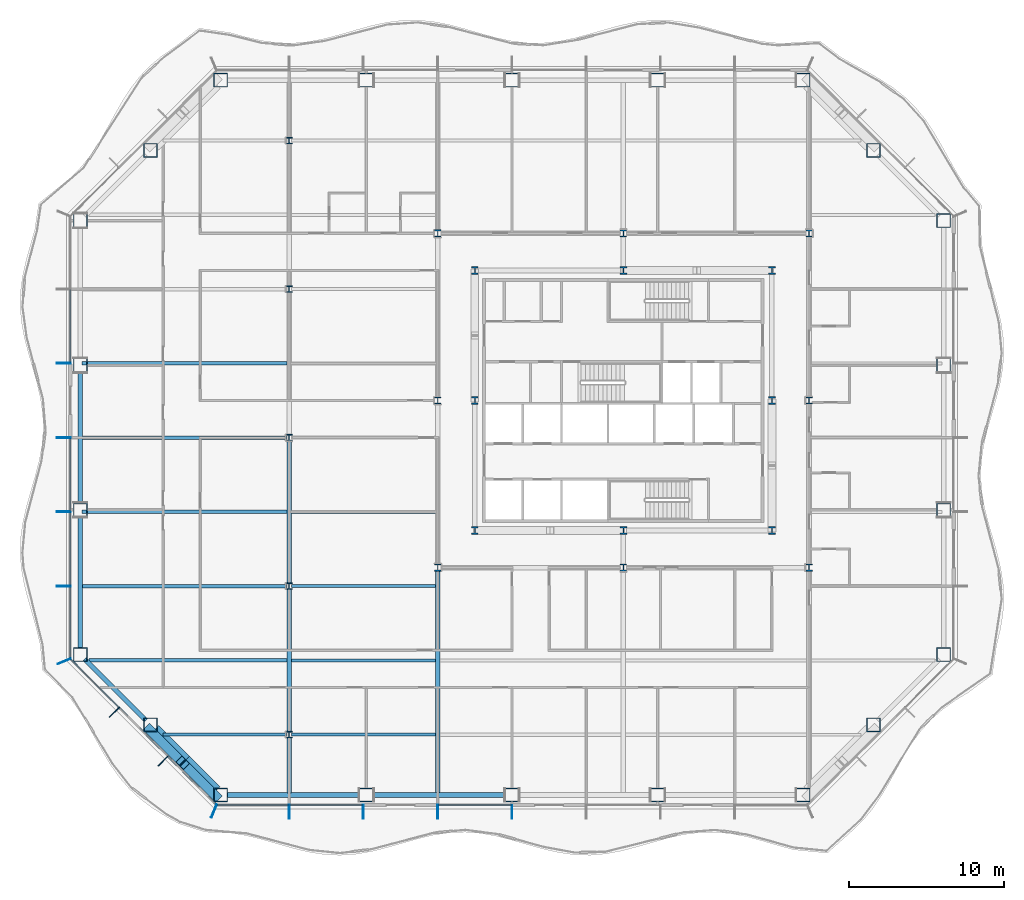
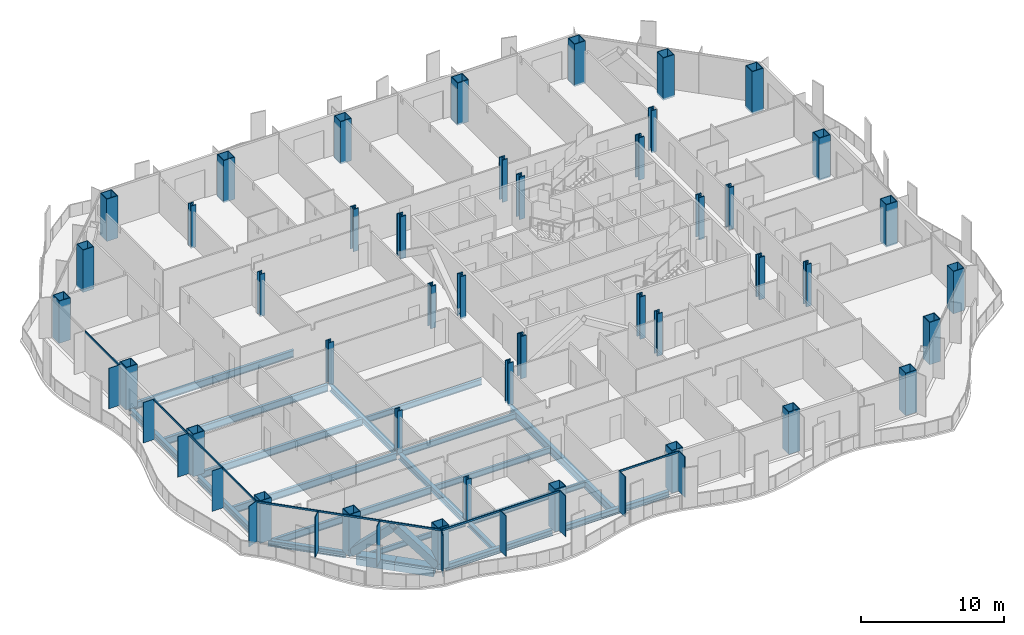
# One storey, part 1 of 18: 43 columns, 24 members, 21 beams, 3 elements without a shape of their own.
"""IFC4 building model written with IfcOpenShell, lengths in metres."""

from ifc_helpers import new_model, si_unit, direction, frame, origin, origin_2d, place, context, subcontext, project, spatial, rectangle, hollow_rectangle, i_section, extrude, material, material_profile, profile_set, type_object, element, aggregate, save


model = new_model("IFC4")

# Units and contexts
model_context = context("Model", 3, precision=1e-05, world=origin(), true_north=direction((0.0, 1.0)))
body_context = subcontext(model_context, "Body", "Model", "MODEL_VIEW")
ifc_project = project(units=[si_unit("LENGTHUNIT", "METRE"), si_unit("AREAUNIT", "SQUARE_METRE"), si_unit("VOLUMEUNIT", "CUBIC_METRE"), si_unit("PLANEANGLEUNIT", "RADIAN"), si_unit("MASSUNIT", "GRAM", prefix="KILO")], contexts=[model_context])

# Site, building, storey
site_placement = place(None, origin())
site = spatial("IfcSite", under=ifc_project, at=site_placement, CompositionType="ELEMENT")
building_placement = place(site_placement, origin())
building = spatial("IfcBuilding", under=site, at=building_placement, Name="Cairn Pilgrim Tower", CompositionType="ELEMENT")
storey_placement = place(building_placement, frame((0.0, 0.0, 65.39990234375)))
storey = spatial("IfcBuildingStorey", under=building, at=storey_placement, Name="L14", CompositionType="ELEMENT", Elevation=65.39990234375)

# Columns
ifc_material_1 = material(Name="Structural steel S460M", Category="steel")
ifc_material_profile_1 = material_profile(ifc_material_1, hollow_rectangle(XDim=0.89990234375, YDim=0.89990234375, WallThickness=0.050048828125, at=origin_2d()), Name="BOX 900x900x50")
ifc_profile_set_1 = profile_set([ifc_material_profile_1], Name="Structural steel S460M")
column_type_1 = type_object("IfcColumnType", Name="BOX 900x900x50", PredefinedType="COLUMN", material=ifc_profile_set_1)
for number, where, z_axis, x_axis, name in (
    (1, (-18.8271484375, -23.10009765625, -0.14990234375), (0.0, 0.0, 1.0), (1.0, 0.0, 0.0), "PC1-S1"),
    (2, (-9.41357421875, -23.10009765625, -0.14990234375), (0.0, 0.0, 1.0), (1.0, 0.0, 0.0), "PC1-S2"),
    (3, (0.0, -23.10009765625, -0.14990234375), (0.0, 0.0, 1.0), (1.0, 0.0, 0.0), "PC1-S3"),
    (4, (9.41357421875, -23.10009765625, -0.14990234375), (0.0, 0.0, 1.0), (1.0, 0.0, 0.0), "PC1-S4"),
    (5, (18.8271484375, -23.10009765625, -0.14990234375), (0.0, 0.0, 1.0), (1.0, 0.0, 0.0), "PC1-SE1"),
    (6, (23.363525390625, -18.563720703125, -0.14990234375), (0.0, 0.0, 1.0), (1.0, 0.0, 0.0), "PC1-SE2"),
    (7, (27.89990234375, -14.027099609375, -0.14990234375), (0.0, 0.0, 1.0), (1.0, 0.0, 0.0), "PC1-E1"),
    (8, (27.89990234375, -4.67578125, -0.14990234375), (0.0, 0.0, 1.0), (1.0, 0.0, 0.0), "PC1-E2"),
    (9, (27.89990234375, 4.67578125, -0.14990234375), (0.0, 0.0, 1.0), (1.0, 0.0, 0.0), "PC1-E3"),
    (10, (27.89990234375, 14.027099609375, -0.14990234375), (0.0, 0.0, 1.0), (1.0, 0.0, 0.0), "PC1-NE1"),
    (11, (23.363525390625, 18.563720703125, -0.14990234375), (0.0, 0.0, 1.0), (1.0, 0.0, 0.0), "PC1-NE2"),
    (12, (18.8271484375, 23.10009765625, -0.14990234375), (0.0, 0.0, 1.0), (1.0, 0.0, 0.0), "PC1-N1"),
    (13, (9.41357421875, 23.10009765625, -0.14990234375), (0.0, 0.0, 1.0), (1.0, 0.0, 0.0), "PC1-N2"),
    (14, (0.0, 23.10009765625, -0.14990234375), (0.0, 0.0, 1.0), (1.0, 0.0, 0.0), "PC1-N3"),
    (15, (-9.41357421875, 23.10009765625, -0.14990234375), (0.0, 0.0, 1.0), (1.0, 0.0, 0.0), "PC1-N4"),
    (16, (-18.8271484375, 23.10009765625, -0.14990234375), (0.0, 0.0, 1.0), (1.0, 0.0, 0.0), "PC1-NW1"),
    (17, (-23.363525390625, 18.563720703125, -0.14990234375), (0.0, 0.0, 1.0), (1.0, 0.0, 0.0), "PC1-NW2"),
    (18, (-27.89990234375, 14.027099609375, -0.14990234375), (0.0, 0.0, 1.0), (1.0, 0.0, 0.0), "PC1-W1"),
    (19, (-27.89990234375, 4.67578125, -0.14990234375), (0.0, 0.0, 1.0), (1.0, 0.0, 0.0), "PC1-W2"),
    (20, (-27.89990234375, -4.67578125, -0.14990234375), (0.0, 0.0, 1.0), (1.0, 0.0, 0.0), "PC1-W3"),
    (21, (-27.89990234375, -14.027099609375, -0.14990234375), (0.0, 0.0, 1.0), (1.0, 0.0, 0.0), "PC1-SW1"),
    (22, (-23.363525390625, -18.563720703125, -0.14990234375), (0.0, 0.0, 1.0), (1.0, 0.0, 0.0), "PC1-SW2"),
):
    element("IfcColumn", number, at=place(storey_placement, frame(where, z_axis=z_axis, x_axis=x_axis)), inside=storey, type_object=column_type_1, Name=name, PredefinedType="COLUMN", context=body_context, shape_type="SweptSolid", body=[
        extrude(hollow_rectangle(XDim=0.89990234375, YDim=0.89990234375, WallThickness=0.050048828125, at=origin_2d()), origin(), (0.0, 0.0, 1.0), 3.60009765625),
    ])
ifc_material_profile_2 = material_profile(ifc_material_1, i_section(OverallWidth=0.408935546875, OverallDepth=0.425048828125, WebThickness=0.03271484375, FlangeThickness=0.052490234375, FilletRadius=0.014892578125, at=origin_2d()), Name="HD 400x421")
ifc_profile_set_2 = profile_set([ifc_material_profile_2], Name="Structural steel S460M")
column_type_2 = type_object("IfcColumnType", Name="HD 400x421", PredefinedType="COLUMN", material=ifc_profile_set_2)
for number, where, z_axis, x_axis, name in (
    (23, (-14.39990234375, -19.199951171875, -0.14990234375), (0.0, 0.0, 1.0), (1.0, 0.0, 0.0), "WC-WW-4"),
    (24, (-14.39990234375, -9.60009765625, -0.14990234375), (0.0, 0.0, 1.0), (1.0, 0.0, 0.0), "WC-WW-2"),
    (25, (-14.39990234375, 0.0, -0.14990234375), (0.0, 0.0, 1.0), (1.0, 0.0, 0.0), "WC-WW+0"),
    (26, (-14.39990234375, 9.60009765625, -0.14990234375), (0.0, 0.0, 1.0), (1.0, 0.0, 0.0), "WC-WW+2"),
    (27, (-14.39990234375, 19.199951171875, -0.14990234375), (0.0, 0.0, 1.0), (1.0, 0.0, 0.0), "WC-WW+4"),
):
    element("IfcColumn", number, at=place(storey_placement, frame(where, z_axis=z_axis, x_axis=x_axis)), inside=storey, type_object=column_type_2, Name=name, PredefinedType="COLUMN", context=body_context, shape_type="SweptSolid", body=[
        extrude(i_section(OverallWidth=0.408935546875, OverallDepth=0.425048828125, WebThickness=0.03271484375, FlangeThickness=0.052490234375, FilletRadius=0.014892578125, at=origin_2d()), origin(), (0.0, 0.0, 1.0), 3.60009765625),
    ])
ifc_material_profile_3 = material_profile(ifc_material_1, i_section(OverallWidth=0.424072265625, OverallDepth=0.47412109375, WebThickness=0.047607421875, FlangeThickness=0.0771484375, FilletRadius=0.014892578125, at=origin_2d()), Name="HD 400x634")
ifc_profile_set_3 = profile_set([ifc_material_profile_3], Name="Structural steel S460M")
column_type_3 = type_object("IfcColumnType", Name="HD 400x634", PredefinedType="COLUMN", material=ifc_profile_set_3)
for number, where, z_axis, x_axis, name in (
    (28, (-4.800048828125, -8.39990234375, -0.14990234375), (0.0, 0.0, 1.0), (1.0, 0.0, 0.0), "IC-1"),
    (29, (7.199951171875, -8.39990234375, -0.14990234375), (0.0, 0.0, 1.0), (1.0, 0.0, 0.0), "IC-2"),
    (30, (19.199951171875, -8.39990234375, -0.14990234375), (0.0, 0.0, 1.0), (1.0, 0.0, 0.0), "IC-3"),
    (31, (-4.800048828125, 2.39990234375, -0.14990234375), (0.0, 0.0, 1.0), (1.0, 0.0, 0.0), "IC-4"),
    (32, (19.199951171875, 2.39990234375, -0.14990234375), (0.0, 0.0, 1.0), (1.0, 0.0, 0.0), "IC-5"),
    (33, (-4.800048828125, 13.199951171875, -0.14990234375), (0.0, 0.0, 1.0), (1.0, 0.0, 0.0), "IC-6"),
    (34, (7.199951171875, 13.199951171875, -0.14990234375), (0.0, 0.0, 1.0), (1.0, 0.0, 0.0), "IC-7"),
    (35, (19.199951171875, 13.199951171875, -0.14990234375), (0.0, 0.0, 1.0), (1.0, 0.0, 0.0), "IC-8"),
):
    element("IfcColumn", number, at=place(storey_placement, frame(where, z_axis=z_axis, x_axis=x_axis)), inside=storey, type_object=column_type_3, Name=name, PredefinedType="COLUMN", context=body_context, shape_type="SweptSolid", body=[
        extrude(i_section(OverallWidth=0.424072265625, OverallDepth=0.47412109375, WebThickness=0.047607421875, FlangeThickness=0.0771484375, FilletRadius=0.014892578125, at=origin_2d()), origin(), (0.0, 0.0, 1.0), 3.60009765625),
    ])
ifc_material_profile_4 = material_profile(ifc_material_1, i_section(OverallWidth=0.43701171875, OverallDepth=0.513916015625, WebThickness=0.060546875, FlangeThickness=0.096923828125, FilletRadius=0.014892578125, at=origin_2d()), Name="HD 400x818")
ifc_profile_set_4 = profile_set([ifc_material_profile_4], Name="Structural steel S460M")
column_type_4 = type_object("IfcColumnType", Name="HD 400x818", PredefinedType="COLUMN", material=ifc_profile_set_4)
for number, where, z_axis, x_axis, name in (
    (36, (-2.39990234375, -6.0, -0.14990234375), (0.0, 0.0, 1.0), (1.0, 0.0, 0.0), "KC-1"),
    (37, (7.199951171875, -6.0, -0.14990234375), (0.0, 0.0, 1.0), (1.0, 0.0, 0.0), "KC-2"),
    (38, (16.800048828125, -6.0, -0.14990234375), (0.0, 0.0, 1.0), (1.0, 0.0, 0.0), "KC-3"),
    (39, (-2.39990234375, 2.39990234375, -0.14990234375), (0.0, 0.0, 1.0), (1.0, 0.0, 0.0), "KC-4"),
    (40, (16.800048828125, 2.39990234375, -0.14990234375), (0.0, 0.0, 1.0), (1.0, 0.0, 0.0), "KC-5"),
    (41, (-2.39990234375, 10.800048828125, -0.14990234375), (0.0, 0.0, 1.0), (1.0, 0.0, 0.0), "KC-6"),
    (42, (7.199951171875, 10.800048828125, -0.14990234375), (0.0, 0.0, 1.0), (1.0, 0.0, 0.0), "KC-7"),
    (43, (16.800048828125, 10.800048828125, -0.14990234375), (0.0, 0.0, 1.0), (1.0, 0.0, 0.0), "KC-8"),
):
    element("IfcColumn", number, at=place(storey_placement, frame(where, z_axis=z_axis, x_axis=x_axis)), inside=storey, type_object=column_type_4, Name=name, PredefinedType="COLUMN", context=body_context, shape_type="SweptSolid", body=[
        extrude(i_section(OverallWidth=0.43701171875, OverallDepth=0.513916015625, WebThickness=0.060546875, FlangeThickness=0.096923828125, FilletRadius=0.014892578125, at=origin_2d()), origin(), (0.0, 0.0, 1.0), 3.60009765625),
    ])

# Members
ifc_material_profile_5 = material_profile(ifc_material_1, hollow_rectangle(XDim=0.60009765625, YDim=0.60009765625, WallThickness=0.034912109375, at=origin_2d()), Name="BOX 600x600x35")
ifc_profile_set_5 = profile_set([ifc_material_profile_5], Name="Structural steel S460M")
member_type_1 = type_object("IfcMemberType", Name="BOX 600x600x35 BRACE", PredefinedType="BRACE", material=ifc_profile_set_5)
for number, where, z_axis, x_axis, name in (
    (44, (-23.4873046875, -18.814697265625, 0.150146484375), (0.528960912345, -0.52889942671, 0.663675937214), (0.70706568108, 0.707147878904, 0.0), "XB-SW2-S1-1"),
    (45, (-19.078125, -23.2236328125, 0.150146484375), (-0.528943710525, 0.528943710525, 0.663654354459), (-0.707106781187, -0.707106781187, 0.0), "XB-SW2-S1-2"),
):
    element("IfcMember", number, at=place(storey_placement, frame(where, z_axis=z_axis, x_axis=x_axis)), inside=storey, type_object=member_type_1, Name=name, PredefinedType="BRACE", context=body_context, shape_type="SweptSolid", body=[
        extrude(hollow_rectangle(XDim=0.60009765625, YDim=0.60009765625, WallThickness=0.034912109375, at=origin_2d()), origin(), (0.0, 0.0, 1.0), 3.970703125),
    ])

# Beams
ifc_material_2 = material(Name="Structural steel S355J2", Category="steel")
ifc_material_profile_6 = material_profile(ifc_material_2, hollow_rectangle(XDim=0.699951171875, YDim=0.800048828125, WallThickness=0.0400390625, at=origin_2d()), Name="BOX 700x800x40")
ifc_profile_set_6 = profile_set([ifc_material_profile_6], Name="Structural steel S355J2")
beam_type_1 = type_object("IfcBeamType", Name="BOX 700x800x40 RING GIRDER", PredefinedType="SPANDREL", material=ifc_profile_set_6)
beam_1_placement = place(storey_placement, frame((-23.0771484375, -18.85009765625, -0.5498046875), z_axis=(0.707106781187, -0.707106781187, 0.0), x_axis=(0.707106781187, 0.707106781187, 0.0)))
element("IfcBeam", 46, at=beam_1_placement, inside=storey, type_object=beam_type_1, Name="RG1-SW2-S1-1", PredefinedType="SPANDREL", context=body_context, shape_type="SweptSolid", body=[
    extrude(hollow_rectangle(XDim=0.699951171875, YDim=0.800048828125, WallThickness=0.0400390625, at=origin_2d()), origin(), (0.0, 0.0, 1.0), 2.802490234375),
])
beam_2_placement = place(storey_placement, frame((-21.095458984375, -20.831787109375, -0.5498046875), z_axis=(0.707106781187, -0.707106781187, 0.0), x_axis=(0.707106781187, 0.707106781187, 0.0)))
element("IfcBeam", 47, at=beam_2_placement, inside=storey, type_object=beam_type_1, Name="RG1-SW2-S1-2", PredefinedType="SPANDREL", context=body_context, shape_type="SweptSolid", body=[
    extrude(hollow_rectangle(XDim=0.699951171875, YDim=0.800048828125, WallThickness=0.0400390625, at=origin_2d()), origin(), (0.0, 0.0, 1.0), 2.802978515625),
])

# Curtain wall, members
ifc_material_3 = material(Name="Aluminium alloy 6063-T6 bronze anodised with Bronze tinted laminated low-E glass 8+16+8.8", Category="aluminium")
curtain_wall_type_1 = type_object("IfcCurtainWallType", Name="TOWER STICK CURTAIN WALL NS", PredefinedType="NOTDEFINED", material=ifc_material_3)
curtain_wall_1_placement = place(storey_placement, origin())
curtain_wall_1 = element("IfcCurtainWall", 48, at=curtain_wall_1_placement, inside=storey, type_object=curtain_wall_type_1, Name="Tower Stick Curtain Wall Ns S", PredefinedType="NOTDEFINED")
ifc_material_4 = material(Name="Aluminium alloy 6063-T6 bronze anodised", Category="aluminium")
ifc_material_profile_7 = material_profile(ifc_material_4, rectangle(XDim=0.89990234375, YDim=0.06005859375, at=origin_2d()), Name="FIN MULLION 60x900 BRONZE")
ifc_profile_set_7 = profile_set([ifc_material_profile_7], Name="Aluminium alloy 6063-T6 bronze anodised")
member_type_2 = type_object("IfcMemberType", Name="FIN MULLION 60x900 BRONZE", PredefinedType="MULLION", material=ifc_profile_set_7)
member_1_placement = place(storey_placement, frame((-19.257080078125, -24.137939453125, 0.0), z_axis=(0.0, 0.0, 1.0), x_axis=(-0.382683432365, -0.923879532511, 0.0)))
member_1 = element("IfcMember", 49, at=member_1_placement, type_object=member_type_2, Name="Fin mullion S1", PredefinedType="MULLION", context=body_context, shape_type="SweptSolid", body=[
    extrude(rectangle(XDim=0.89990234375, YDim=0.06005859375, at=origin_2d()), origin(), (0.0, 0.0, 1.0), 3.4501953125),
])
member_2_placement = place(storey_placement, frame((-14.39990234375, -24.169921875, 0.0), z_axis=(0.0, 0.0, 1.0), x_axis=(0.0, -1.0, 0.0)))
member_2 = element("IfcMember", 50, at=member_2_placement, type_object=member_type_2, Name="Fin mullion S2", PredefinedType="MULLION", context=body_context, shape_type="SweptSolid", body=[
    extrude(rectangle(XDim=0.89990234375, YDim=0.06005859375, at=origin_2d()), origin(), (0.0, 0.0, 1.0), 3.4501953125),
])
member_3_placement = place(storey_placement, frame((-9.60009765625, -24.169921875, 0.0), z_axis=(0.0, 0.0, 1.0), x_axis=(0.0, -1.0, 0.0)))
member_3 = element("IfcMember", 51, at=member_3_placement, type_object=member_type_2, Name="Fin mullion S3", PredefinedType="MULLION", context=body_context, shape_type="SweptSolid", body=[
    extrude(rectangle(XDim=0.89990234375, YDim=0.06005859375, at=origin_2d()), origin(), (0.0, 0.0, 1.0), 3.4501953125),
])
member_4_placement = place(storey_placement, frame((-4.800048828125, -24.169921875, 0.0), z_axis=(0.0, 0.0, 1.0), x_axis=(0.0, -1.0, 0.0)))
member_4 = element("IfcMember", 52, at=member_4_placement, type_object=member_type_2, Name="Fin mullion S4", PredefinedType="MULLION", context=body_context, shape_type="SweptSolid", body=[
    extrude(rectangle(XDim=0.89990234375, YDim=0.06005859375, at=origin_2d()), origin(), (0.0, 0.0, 1.0), 3.4501953125),
])
member_5_placement = place(storey_placement, frame((0.0, -24.169921875, 0.0), z_axis=(0.0, 0.0, 1.0), x_axis=(0.0, -1.0, 0.0)))
member_5 = element("IfcMember", 53, at=member_5_placement, type_object=member_type_2, Name="Fin mullion S5", PredefinedType="MULLION", context=body_context, shape_type="SweptSolid", body=[
    extrude(rectangle(XDim=0.89990234375, YDim=0.06005859375, at=origin_2d()), origin(), (0.0, 0.0, 1.0), 3.4501953125),
])

curtain_wall_type_2 = type_object("IfcCurtainWallType", Name="TOWER STICK CURTAIN WALL EW", PredefinedType="NOTDEFINED", material=ifc_material_3)
curtain_wall_2_placement = place(storey_placement, origin())
curtain_wall_2 = element("IfcCurtainWall", 54, at=curtain_wall_2_placement, inside=storey, type_object=curtain_wall_type_2, Name="Tower Stick Curtain Wall Ew W", PredefinedType="NOTDEFINED")
member_6_placement = place(storey_placement, frame((-28.969970703125, 4.800048828125, 0.0), z_axis=(0.0, 0.0, 1.0), x_axis=(-1.0, 0.0, 0.0)))
member_6 = element("IfcMember", 55, at=member_6_placement, type_object=member_type_2, Name="Fin mullion W3", PredefinedType="MULLION", context=body_context, shape_type="SweptSolid", body=[
    extrude(rectangle(XDim=0.89990234375, YDim=0.06005859375, at=origin_2d()), origin(), (0.0, 0.0, 1.0), 3.4501953125),
])
member_7_placement = place(storey_placement, frame((-28.969970703125, 0.0, 0.0), z_axis=(0.0, 0.0, 1.0), x_axis=(-1.0, 0.0, 0.0)))
member_7 = element("IfcMember", 56, at=member_7_placement, type_object=member_type_2, Name="Fin mullion W4", PredefinedType="MULLION", context=body_context, shape_type="SweptSolid", body=[
    extrude(rectangle(XDim=0.89990234375, YDim=0.06005859375, at=origin_2d()), origin(), (0.0, 0.0, 1.0), 3.4501953125),
])
member_8_placement = place(storey_placement, frame((-28.969970703125, -4.800048828125, 0.0), z_axis=(0.0, 0.0, 1.0), x_axis=(-1.0, 0.0, 0.0)))
member_8 = element("IfcMember", 57, at=member_8_placement, type_object=member_type_2, Name="Fin mullion W5", PredefinedType="MULLION", context=body_context, shape_type="SweptSolid", body=[
    extrude(rectangle(XDim=0.89990234375, YDim=0.06005859375, at=origin_2d()), origin(), (0.0, 0.0, 1.0), 3.4501953125),
])
member_9_placement = place(storey_placement, frame((-28.969970703125, -9.60009765625, 0.0), z_axis=(0.0, 0.0, 1.0), x_axis=(-1.0, 0.0, 0.0)))
member_9 = element("IfcMember", 58, at=member_9_placement, type_object=member_type_2, Name="Fin mullion W6", PredefinedType="MULLION", context=body_context, shape_type="SweptSolid", body=[
    extrude(rectangle(XDim=0.89990234375, YDim=0.06005859375, at=origin_2d()), origin(), (0.0, 0.0, 1.0), 3.4501953125),
])

curtain_wall_type_3 = type_object("IfcCurtainWallType", Name="CHAMFER CORNER CURTAIN WALL", PredefinedType="NOTDEFINED", material=ifc_material_3)
curtain_wall_3_placement = place(storey_placement, origin())
curtain_wall_3 = element("IfcCurtainWall", 59, at=curtain_wall_3_placement, inside=storey, type_object=curtain_wall_type_3, Name="Chamfer Corner Curtain Wall SW", PredefinedType="NOTDEFINED")
member_10_placement = place(storey_placement, frame((-28.93798828125, -14.457275390625, 0.0), z_axis=(0.0, 0.0, 1.0), x_axis=(-0.923879532511, -0.382683432365, 0.0)))
member_10 = element("IfcMember", 60, at=member_10_placement, type_object=member_type_2, Name="Fin mullion SW1", PredefinedType="MULLION", context=body_context, shape_type="SweptSolid", body=[
    extrude(rectangle(XDim=0.89990234375, YDim=0.06005859375, at=origin_2d()), origin(), (0.0, 0.0, 1.0), 3.4501953125),
])
member_11_placement = place(storey_placement, frame((-25.69580078125, -17.74462890625, 0.0), z_axis=(0.0, 0.0, 1.0), x_axis=(-0.707106781187, -0.707106781187, 0.0)))
member_11 = element("IfcMember", 61, at=member_11_placement, type_object=member_type_2, Name="Fin mullion SW2", PredefinedType="MULLION", context=body_context, shape_type="SweptSolid", body=[
    extrude(rectangle(XDim=0.89990234375, YDim=0.06005859375, at=origin_2d()), origin(), (0.0, 0.0, 1.0), 3.4501953125),
])
member_12_placement = place(storey_placement, frame((-22.544677734375, -20.895751953125, 0.0), z_axis=(0.0, 0.0, 1.0), x_axis=(-0.707106781187, -0.707106781187, 0.0)))
member_12 = element("IfcMember", 62, at=member_12_placement, type_object=member_type_2, Name="Fin mullion SW3", PredefinedType="MULLION", context=body_context, shape_type="SweptSolid", body=[
    extrude(rectangle(XDim=0.89990234375, YDim=0.06005859375, at=origin_2d()), origin(), (0.0, 0.0, 1.0), 3.4501953125),
])

# Beams
ifc_material_profile_8 = material_profile(ifc_material_2, i_section(OverallWidth=0.300048828125, OverallDepth=0.39990234375, WebThickness=0.013427734375, FlangeThickness=0.02392578125, FilletRadius=0.027099609375, at=origin_2d()), Name="HEB 400")
ifc_profile_set_8 = profile_set([ifc_material_profile_8], Name="Structural steel S355J2")
beam_type_2 = type_object("IfcBeamType", Name="HEB 400 GIRDER", PredefinedType="BEAM", material=ifc_profile_set_8)
beam_3_placement = place(storey_placement, frame((-14.39990234375, -22.97998046875, -0.349853515625), z_axis=(0.0, 1.0, 0.0), x_axis=(-1.0, 0.0, 0.0)))
element("IfcBeam", 63, at=beam_3_placement, inside=storey, type_object=beam_type_2, Name="PG1-1", PredefinedType="BEAM", context=body_context, shape_type="SweptSolid", body=[
    extrude(i_section(OverallWidth=0.300048828125, OverallDepth=0.39990234375, WebThickness=0.013427734375, FlangeThickness=0.02392578125, FilletRadius=0.027099609375, at=origin_2d()), origin(), (0.0, 0.0, 1.0), 3.575439453125),
])
ifc_material_profile_9 = material_profile(ifc_material_2, i_section(OverallWidth=0.300048828125, OverallDepth=0.5, WebThickness=0.014404296875, FlangeThickness=0.028076171875, FilletRadius=0.027099609375, at=origin_2d()), Name="HEB 500")
ifc_profile_set_9 = profile_set([ifc_material_profile_9], Name="Structural steel S355J2")
beam_type_3 = type_object("IfcBeamType", Name="HEB 500 GIRDER", PredefinedType="BEAM", material=ifc_profile_set_9)
beam_4_placement = place(storey_placement, frame((-14.39990234375, -18.99560546875, -0.39990234375), z_axis=(0.0, 1.0, 0.0), x_axis=(-1.0, 0.0, 0.0)))
element("IfcBeam", 64, at=beam_4_placement, inside=storey, type_object=beam_type_3, Name="PG1-2", PredefinedType="BEAM", context=body_context, shape_type="SweptSolid", body=[
    extrude(i_section(OverallWidth=0.300048828125, OverallDepth=0.5, WebThickness=0.014404296875, FlangeThickness=0.028076171875, FilletRadius=0.027099609375, at=origin_2d()), origin(), (0.0, 0.0, 1.0), 9.191162109375),
])
beam_5_placement = place(storey_placement, frame((-14.39990234375, -9.3955078125, -0.39990234375), z_axis=(0.0, 1.0, 0.0), x_axis=(-1.0, 0.0, 0.0)))
element("IfcBeam", 65, at=beam_5_placement, inside=storey, type_object=beam_type_3, Name="PG1-3", PredefinedType="BEAM", context=body_context, shape_type="SweptSolid", body=[
    extrude(i_section(OverallWidth=0.300048828125, OverallDepth=0.5, WebThickness=0.014404296875, FlangeThickness=0.028076171875, FilletRadius=0.027099609375, at=origin_2d()), origin(), (0.0, 0.0, 1.0), 9.19091796875),
])
ifc_material_profile_10 = material_profile(ifc_material_2, i_section(OverallWidth=0.300048828125, OverallDepth=0.5, WebThickness=0.014404296875, FlangeThickness=0.028076171875, FilletRadius=0.027099609375, at=origin_2d()), Name="HEB 500")
ifc_profile_set_10 = profile_set([ifc_material_profile_10], Name="Structural steel S355J2")
beam_type_4 = type_object("IfcBeamType", Name="HEB 500 RING GIRDER", PredefinedType="SPANDREL", material=ifc_profile_set_10)
for number, where, z_axis, x_axis, name in (
    (66, (-18.422119140625, -23.10009765625, -0.39990234375), (1.0, 0.0, 0.0), (0.0, 1.0, 0.0), "RG1-S1-S2"),
    (67, (-9.008544921875, -23.10009765625, -0.39990234375), (1.0, 0.0, 0.0), (0.0, 1.0, 0.0), "RG1-S2-S3"),
):
    element("IfcBeam", number, at=place(storey_placement, frame(where, z_axis=z_axis, x_axis=x_axis)), inside=storey, type_object=beam_type_4, Name=name, PredefinedType="SPANDREL", context=body_context, shape_type="SweptSolid", body=[
        extrude(i_section(OverallWidth=0.300048828125, OverallDepth=0.5, WebThickness=0.014404296875, FlangeThickness=0.028076171875, FilletRadius=0.027099609375, at=origin_2d()), origin(), (0.0, 0.0, 1.0), 8.603515625),
    ])
for number, where, z_axis, x_axis, name in (
    (68, (-27.89990234375, 4.270751953125, -0.39990234375), (0.0, -1.0, 0.0), (1.0, 0.0, 0.0), "RG1-W2-W3"),
    (69, (-27.89990234375, -5.080810546875, -0.39990234375), (0.0, -1.0, 0.0), (1.0, 0.0, 0.0), "RG1-W3-SW1"),
):
    element("IfcBeam", number, at=place(storey_placement, frame(where, z_axis=z_axis, x_axis=x_axis)), inside=storey, type_object=beam_type_4, Name=name, PredefinedType="SPANDREL", context=body_context, shape_type="SweptSolid", body=[
        extrude(i_section(OverallWidth=0.300048828125, OverallDepth=0.5, WebThickness=0.014404296875, FlangeThickness=0.028076171875, FilletRadius=0.027099609375, at=origin_2d()), origin(), (0.0, 0.0, 1.0), 8.54150390625),
    ])
beam_6_placement = place(storey_placement, frame((-27.613525390625, -14.313720703125, -0.39990234375), z_axis=(0.707128558756, -0.707085002947, 0.0), x_axis=(0.707085002947, 0.707128558756, 0.0)))
element("IfcBeam", 70, at=beam_6_placement, inside=storey, type_object=beam_type_4, Name="RG1-SW1-SW2", PredefinedType="SPANDREL", context=body_context, shape_type="SweptSolid", body=[
    extrude(i_section(OverallWidth=0.300048828125, OverallDepth=0.5, WebThickness=0.014404296875, FlangeThickness=0.028076171875, FilletRadius=0.027099609375, at=origin_2d()), origin(), (0.0, 0.0, 1.0), 5.605224609375),
])
ifc_material_profile_11 = material_profile(ifc_material_2, i_section(OverallWidth=0.300048828125, OverallDepth=0.699951171875, WebThickness=0.01708984375, FlangeThickness=0.031982421875, FilletRadius=0.027099609375, at=origin_2d()), Name="HEB 700")
ifc_profile_set_11 = profile_set([ifc_material_profile_11], Name="Structural steel S355J2")
beam_type_5 = type_object("IfcBeamType", Name="HEB 700 GIRDER", PredefinedType="BEAM", material=ifc_profile_set_11)
beam_7_placement = place(storey_placement, frame((-4.800048828125, -22.97998046875, -0.5), z_axis=(0.0, 1.0, 0.0), x_axis=(-1.0, 0.0, 0.0)))
element("IfcBeam", 71, at=beam_7_placement, inside=storey, type_object=beam_type_5, Name="PG2-1", PredefinedType="BEAM", context=body_context, shape_type="SweptSolid", body=[
    extrude(i_section(OverallWidth=0.300048828125, OverallDepth=0.699951171875, WebThickness=0.01708984375, FlangeThickness=0.031982421875, FilletRadius=0.027099609375, at=origin_2d()), origin(), (0.0, 0.0, 1.0), 14.367919921875),
])
ifc_material_profile_12 = material_profile(ifc_material_2, i_section(OverallWidth=0.18994140625, OverallDepth=0.449951171875, WebThickness=0.009521484375, FlangeThickness=0.0146484375, FilletRadius=0.02099609375, at=origin_2d()), Name="IPE 450")
ifc_profile_set_12 = profile_set([ifc_material_profile_12], Name="Structural steel S355J2")
beam_type_6 = type_object("IfcBeamType", Name="IPE 450 SECONDARY BEAM", PredefinedType="JOIST", material=ifc_profile_set_12)
beam_8_placement = place(storey_placement, frame((-22.545166015625, -19.199951171875, -0.375), z_axis=(1.0, 0.0, 0.0), x_axis=(0.0, 1.0, 0.0)))
element("IfcBeam", 72, at=beam_8_placement, inside=storey, type_object=beam_type_6, Name="SB1-1", PredefinedType="JOIST", context=body_context, shape_type="SweptSolid", body=[
    extrude(i_section(OverallWidth=0.18994140625, OverallDepth=0.449951171875, WebThickness=0.009521484375, FlangeThickness=0.0146484375, FilletRadius=0.02099609375, at=origin_2d()), origin(), (0.0, 0.0, 1.0), 7.9951171875),
])
ifc_material_profile_13 = material_profile(ifc_material_2, i_section(OverallWidth=0.199951171875, OverallDepth=0.5, WebThickness=0.01025390625, FlangeThickness=0.01611328125, FilletRadius=0.02099609375, at=origin_2d()), Name="IPE 500")
ifc_profile_set_13 = profile_set([ifc_material_profile_13], Name="Structural steel S355J2")
beam_type_7 = type_object("IfcBeamType", Name="IPE 500 SECONDARY BEAM", PredefinedType="JOIST", material=ifc_profile_set_13)
for number, where, z_axis, x_axis, name in (
    (73, (-14.25, -19.199951171875, -0.39990234375), (1.0, 0.0, 0.0), (0.0, 1.0, 0.0), "SB1-2"),
    (74, (-14.25, -14.39990234375, -0.39990234375), (1.0, 0.0, 0.0), (0.0, 1.0, 0.0), "SB2-2"),
    (75, (-14.25, -9.60009765625, -0.39990234375), (1.0, 0.0, 0.0), (0.0, 1.0, 0.0), "SB3-2"),
    (76, (-14.25, -4.800048828125, -0.39990234375), (1.0, 0.0, 0.0), (0.0, 1.0, 0.0), "SB4-2"),
):
    element("IfcBeam", number, at=place(storey_placement, frame(where, z_axis=z_axis, x_axis=x_axis)), inside=storey, type_object=beam_type_7, Name=name, PredefinedType="JOIST", context=body_context, shape_type="SweptSolid", body=[
        extrude(i_section(OverallWidth=0.199951171875, OverallDepth=0.5, WebThickness=0.01025390625, FlangeThickness=0.01611328125, FilletRadius=0.02099609375, at=origin_2d()), origin(), (0.0, 0.0, 1.0), 9.300048828125),
    ])
ifc_material_profile_14 = material_profile(ifc_material_2, i_section(OverallWidth=0.219970703125, OverallDepth=0.60009765625, WebThickness=0.011962890625, FlangeThickness=0.01904296875, FilletRadius=0.02392578125, at=origin_2d()), Name="IPE 600")
ifc_profile_set_14 = profile_set([ifc_material_profile_14], Name="Structural steel S355J2")
beam_type_8 = type_object("IfcBeamType", Name="IPE 600 SECONDARY BEAM", PredefinedType="JOIST", material=ifc_profile_set_14)
beam_9_placement = place(storey_placement, frame((-27.34521484375, -14.39990234375, -0.449951171875), z_axis=(1.0, 0.0, 0.0), x_axis=(0.0, 1.0, 0.0)))
element("IfcBeam", 77, at=beam_9_placement, inside=storey, type_object=beam_type_8, Name="SB2-1", PredefinedType="JOIST", context=body_context, shape_type="SweptSolid", body=[
    extrude(i_section(OverallWidth=0.219970703125, OverallDepth=0.60009765625, WebThickness=0.011962890625, FlangeThickness=0.01904296875, FilletRadius=0.02392578125, at=origin_2d()), origin(), (0.0, 0.0, 1.0), 12.795166015625),
])
for number, where, z_axis, x_axis, name in (
    (78, (-27.780029296875, -9.60009765625, -0.449951171875), (1.0, 0.0, 0.0), (0.0, 1.0, 0.0), "SB3-1"),
    (79, (-27.780029296875, -4.800048828125, -0.449951171875), (1.0, 0.0, 0.0), (0.0, 1.0, 0.0), "SB4-1"),
    (80, (-27.780029296875, 0.0, -0.449951171875), (1.0, 0.0, 0.0), (0.0, 1.0, 0.0), "SB5-1"),
    (81, (-27.780029296875, 4.800048828125, -0.449951171875), (1.0, 0.0, 0.0), (0.0, 1.0, 0.0), "SB6-1"),
):
    element("IfcBeam", number, at=place(storey_placement, frame(where, z_axis=z_axis, x_axis=x_axis)), inside=storey, type_object=beam_type_8, Name=name, PredefinedType="JOIST", context=body_context, shape_type="SweptSolid", body=[
        extrude(i_section(OverallWidth=0.219970703125, OverallDepth=0.60009765625, WebThickness=0.011962890625, FlangeThickness=0.01904296875, FilletRadius=0.02392578125, at=origin_2d()), origin(), (0.0, 0.0, 1.0), 13.22998046875),
    ])

# Member
ifc_material_profile_15 = material_profile(ifc_material_4, rectangle(XDim=0.080078125, YDim=0.14990234375, at=origin_2d()), Name="TRANSOM 80x150 BRONZE")
ifc_profile_set_15 = profile_set([ifc_material_profile_15], Name="Aluminium alloy 6063-T6 bronze anodised")
member_type_3 = type_object("IfcMemberType", Name="TRANSOM 80x150 BRONZE", PredefinedType="USERDEFINED", material=ifc_profile_set_15)
member_13_placement = place(storey_placement, frame((-19.056396484375, -23.75, 3.375), z_axis=(1.0, 0.0, 0.0), x_axis=(0.0, 1.0, 0.0)))
member_13 = element("IfcMember", 82, at=member_13_placement, type_object=member_type_3, Name="Transom S1", ObjectType="TRANSOM", PredefinedType="USERDEFINED", context=body_context, shape_type="SweptSolid", body=[
    extrude(rectangle(XDim=0.080078125, YDim=0.14990234375, at=origin_2d()), origin(), (0.0, 0.0, 1.0), 4.62646484375),
])

member_14_placement = place(storey_placement, frame((-14.3701171875, -23.75, 3.375), z_axis=(1.0, 0.0, 0.0), x_axis=(0.0, 1.0, 0.0)))
member_14 = element("IfcMember", 83, at=member_14_placement, type_object=member_type_3, Name="Transom S2", ObjectType="TRANSOM", PredefinedType="USERDEFINED", context=body_context, shape_type="SweptSolid", body=[
    extrude(rectangle(XDim=0.080078125, YDim=0.14990234375, at=origin_2d()), origin(), (0.0, 0.0, 1.0), 4.740234375),
])

member_15_placement = place(storey_placement, frame((-4.77001953125, -23.75, 3.375), z_axis=(1.0, 0.0, 0.0), x_axis=(0.0, 1.0, 0.0)))
member_15 = element("IfcMember", 84, at=member_15_placement, type_object=member_type_3, Name="Transom S4", ObjectType="TRANSOM", PredefinedType="USERDEFINED", context=body_context, shape_type="SweptSolid", body=[
    extrude(rectangle(XDim=0.080078125, YDim=0.14990234375, at=origin_2d()), origin(), (0.0, 0.0, 1.0), 4.739990234375),
])

aggregate(curtain_wall_1, [member_1, member_2, member_3, member_4, member_5, member_13, member_14, member_15])

member_16_placement = place(storey_placement, frame((-28.550048828125, 9.570068359375, 3.375), z_axis=(0.0, -1.0, 0.0), x_axis=(1.0, 0.0, 0.0)))
member_16 = element("IfcMember", 85, at=member_16_placement, type_object=member_type_3, Name="Transom W2", ObjectType="TRANSOM", PredefinedType="USERDEFINED", context=body_context, shape_type="SweptSolid", body=[
    extrude(rectangle(XDim=0.080078125, YDim=0.14990234375, at=origin_2d()), origin(), (0.0, 0.0, 1.0), 4.739990234375),
])

member_17_placement = place(storey_placement, frame((-28.550048828125, -0.030029296875, 3.375), z_axis=(0.0, -1.0, 0.0), x_axis=(1.0, 0.0, 0.0)))
member_17 = element("IfcMember", 86, at=member_17_placement, type_object=member_type_3, Name="Transom W4", ObjectType="TRANSOM", PredefinedType="USERDEFINED", context=body_context, shape_type="SweptSolid", body=[
    extrude(rectangle(XDim=0.080078125, YDim=0.14990234375, at=origin_2d()), origin(), (0.0, 0.0, 1.0), 4.739990234375),
])

member_18_placement = place(storey_placement, frame((-28.550048828125, -4.830078125, 3.375), z_axis=(0.0, -1.0, 0.0), x_axis=(1.0, 0.0, 0.0)))
member_18 = element("IfcMember", 87, at=member_18_placement, type_object=member_type_3, Name="Transom W5", ObjectType="TRANSOM", PredefinedType="USERDEFINED", context=body_context, shape_type="SweptSolid", body=[
    extrude(rectangle(XDim=0.080078125, YDim=0.14990234375, at=origin_2d()), origin(), (0.0, 0.0, 1.0), 4.739990234375),
])

member_19_placement = place(storey_placement, frame((-28.550048828125, -9.6298828125, 3.375), z_axis=(0.0, -1.0, 0.0), x_axis=(1.0, 0.0, 0.0)))
member_19 = element("IfcMember", 88, at=member_19_placement, type_object=member_type_3, Name="Transom W6", ObjectType="TRANSOM", PredefinedType="USERDEFINED", context=body_context, shape_type="SweptSolid", body=[
    extrude(rectangle(XDim=0.080078125, YDim=0.14990234375, at=origin_2d()), origin(), (0.0, 0.0, 1.0), 4.62646484375),
])

aggregate(curtain_wall_2, [member_6, member_7, member_8, member_9, member_16, member_17, member_18, member_19])

member_20_placement = place(storey_placement, frame((-28.521728515625, -14.32470703125, 3.375), z_axis=(0.707106781187, -0.707106781187, 0.0), x_axis=(0.707106781187, 0.707106781187, 0.0)))
member_20 = element("IfcMember", 89, at=member_20_placement, type_object=member_type_3, Name="Transom SW1", ObjectType="TRANSOM", PredefinedType="USERDEFINED", context=body_context, shape_type="SweptSolid", body=[
    extrude(rectangle(XDim=0.080078125, YDim=0.14990234375, at=origin_2d()), origin(), (0.0, 0.0, 1.0), 4.38671875),
])

member_21_placement = place(storey_placement, frame((-25.377685546875, -17.46875, 3.375), z_axis=(0.707106781187, -0.707106781187, 0.0), x_axis=(0.707106781187, 0.707106781187, 0.0)))
member_21 = element("IfcMember", 90, at=member_21_placement, type_object=member_type_3, Name="Transom SW2", ObjectType="TRANSOM", PredefinedType="USERDEFINED", context=body_context, shape_type="SweptSolid", body=[
    extrude(rectangle(XDim=0.080078125, YDim=0.14990234375, at=origin_2d()), origin(), (0.0, 0.0, 1.0), 4.396728515625),
])

member_22_placement = place(storey_placement, frame((-22.226318359375, -20.6201171875, 3.375), z_axis=(0.707106781187, -0.707106781187, 0.0), x_axis=(0.707106781187, 0.707106781187, 0.0)))
member_22 = element("IfcMember", 91, at=member_22_placement, type_object=member_type_3, Name="Transom SW3", ObjectType="TRANSOM", PredefinedType="USERDEFINED", context=body_context, shape_type="SweptSolid", body=[
    extrude(rectangle(XDim=0.080078125, YDim=0.14990234375, at=origin_2d()), origin(), (0.0, 0.0, 1.0), 4.38623046875),
])

aggregate(curtain_wall_3, [member_10, member_11, member_12, member_20, member_21, member_22])

save(model, "model.ifc")
